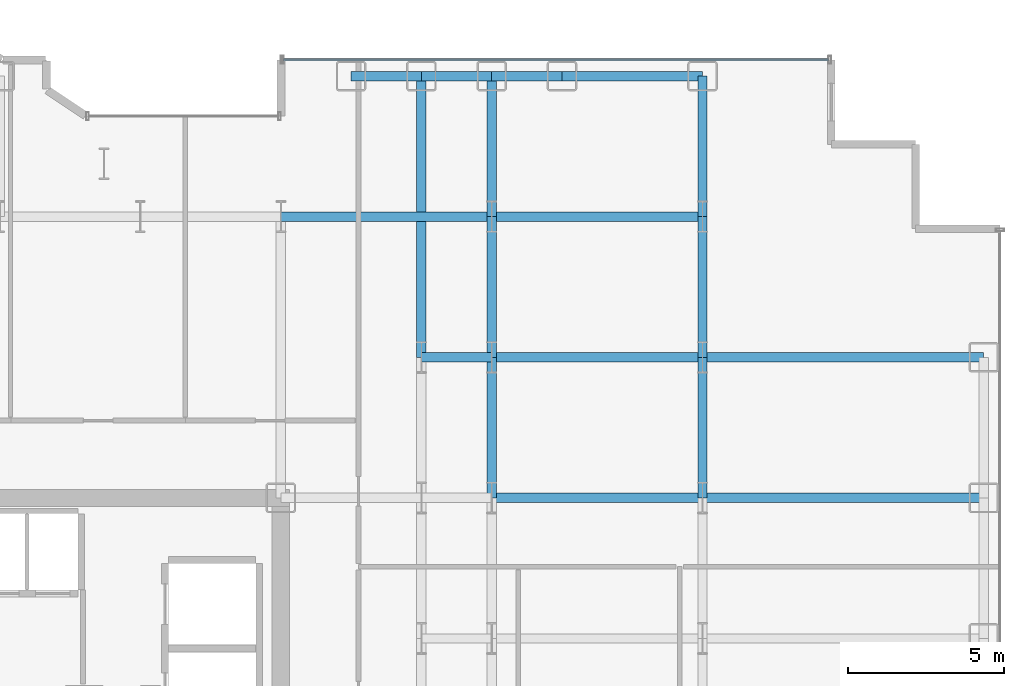
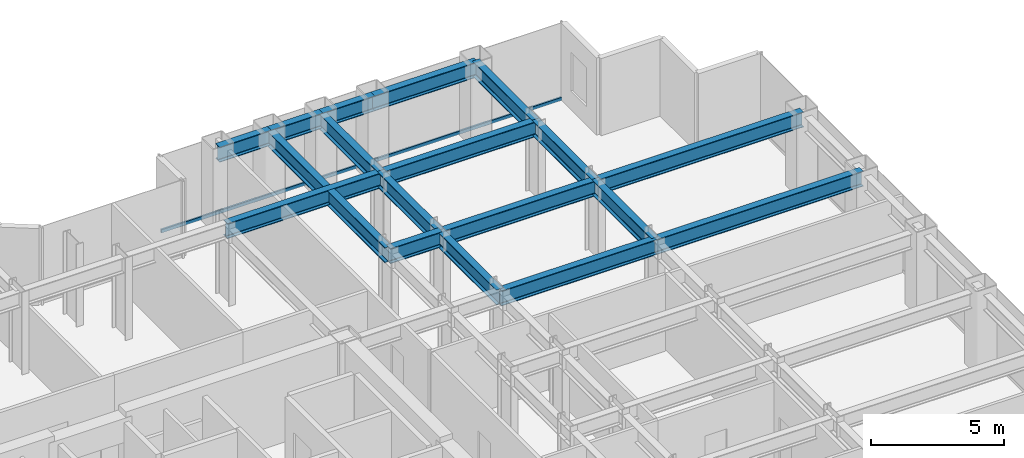
# One storey, part 13 of 26: 18 beams, 1 member, 1 element without a shape of its own.
"""IFC4 building model written with IfcOpenShell, lengths in metres."""

from ifc_helpers import new_model, si_unit, direction, frame, origin, origin_2d, place, context, subcontext, project, spatial, hollow_rectangle, i_section, extrude, source, transform, mapped, material, layer, layer_set, material_profile, profile_set, type_object, element, aggregate, save


model = new_model("IFC4")

# Units and contexts
model_context = context("Model", 3, precision=1e-05, world=origin(), true_north=direction((0.0, 1.0)))
body_context = subcontext(model_context, "Body", "Model", "MODEL_VIEW")
ifc_project = project(units=[si_unit("LENGTHUNIT", "METRE"), si_unit("AREAUNIT", "SQUARE_METRE"), si_unit("VOLUMEUNIT", "CUBIC_METRE"), si_unit("PLANEANGLEUNIT", "RADIAN"), si_unit("MASSUNIT", "GRAM", prefix="KILO")], contexts=[model_context])

# Site, building, storey
site_placement = place(None, origin())
site = spatial("IfcSite", under=ifc_project, at=site_placement, CompositionType="ELEMENT")
building_placement = place(site_placement, origin())
building = spatial("IfcBuilding", under=site, at=building_placement, Name="Nefas-Gora Pilgrimage Tower", CompositionType="ELEMENT")
storey_placement = place(building_placement, frame((0.0, 0.0, 94.60009765625)))
storey = spatial("IfcBuildingStorey", under=building, at=storey_placement, Name="L22", CompositionType="ELEMENT", Elevation=94.60009765625)

# Beams
ifc_material_1 = material(Name="Steel S355", Category="steel")
ifc_material_profile_1 = material_profile(ifc_material_1, i_section(OverallWidth=0.300048828125, OverallDepth=0.699951171875, WebThickness=0.01708984375, FlangeThickness=0.031982421875, FilletRadius=0.027099609375, at=origin_2d()), Name="HEB 700")
ifc_profile_set_1 = profile_set([ifc_material_profile_1], Name="Steel S355")
beam_type_1 = type_object("IfcBeamType", Name="BM-SPN-HEB600", PredefinedType="SPANDREL", material=ifc_profile_set_1)
shared_shape_1 = source(origin(), body_context, "Body", "SweptSolid", [
    extrude(i_section(OverallWidth=0.300048828125, OverallDepth=0.699951171875, WebThickness=0.01708984375, FlangeThickness=0.031982421875, FilletRadius=0.027099609375, at=origin_2d()), origin(), (0.0, 0.0, 1.0), 4.5),
])
beam_1_placement = place(storey_placement, frame((20.25, 22.5, 3.199951171875), z_axis=(1.0, 0.0, 0.0), x_axis=(0.0, 1.0, 0.0)))
element("IfcBeam", 1, at=beam_1_placement, inside=storey, type_object=beam_type_1, Name="L22 SP-01 beam", PredefinedType="SPANDREL", context=body_context, shape_type="MappedRepresentation", body=[
    mapped(shared_shape_1, transform((0.0, 0.0, 0.0), x_axis=(1.0, 0.0, 0.0), y_axis=(0.0, 1.0, 0.0), z_axis=(0.0, 0.0, 1.0), scale=1.0)),
])
ifc_material_profile_2 = material_profile(ifc_material_1, i_section(OverallWidth=0.300048828125, OverallDepth=0.699951171875, WebThickness=0.01708984375, FlangeThickness=0.031982421875, FilletRadius=0.027099609375, at=origin_2d()), Name="HEB 700")
ifc_profile_set_2 = profile_set([ifc_material_profile_2], Name="Steel S355")
beam_type_2 = type_object("IfcBeamType", Name="BM-GIR-HEB700", PredefinedType="BEAM", material=ifc_profile_set_2)
shared_shape_2 = source(origin(), body_context, "Body", "SweptSolid", [
    extrude(i_section(OverallWidth=0.300048828125, OverallDepth=0.699951171875, WebThickness=0.01708984375, FlangeThickness=0.031982421875, FilletRadius=0.027099609375, at=origin_2d()), origin(), (0.0, 0.0, 1.0), 9.0),
])
for number, where, z_axis, x_axis, name in (
    (2, (15.75, 13.5, 3.199951171875), (0.0, 1.0, 0.0), (-1.0, 0.0, 0.0), "L22 G-02 beam"),
    (3, (24.75, 9.0, 3.199951171875), (1.0, 0.0, 0.0), (0.0, 1.0, 0.0), "L22 G-02 beam"),
    (4, (24.75, 13.5, 3.199951171875), (1.0, 0.0, 0.0), (0.0, 1.0, 0.0), "L22 G-02 beam"),
):
    element("IfcBeam", number, at=place(storey_placement, frame(where, z_axis=z_axis, x_axis=x_axis)), inside=storey, type_object=beam_type_2, Name=name, PredefinedType="BEAM", context=body_context, shape_type="MappedRepresentation", body=[
        mapped(shared_shape_2, transform((0.0, 0.0, 0.0), x_axis=(1.0, 0.0, 0.0), y_axis=(0.0, 1.0, 0.0), z_axis=(0.0, 0.0, 1.0), scale=1.0)),
    ])
shared_shape_3 = source(origin(), body_context, "Body", "SweptSolid", [
    extrude(i_section(OverallWidth=0.300048828125, OverallDepth=0.699951171875, WebThickness=0.01708984375, FlangeThickness=0.031982421875, FilletRadius=0.027099609375, at=origin_2d()), origin(), (0.0, 0.0, 1.0), 4.5),
])
for number, where, z_axis, x_axis, name in (
    (5, (18.0, 9.0, 3.199951171875), (0.0, 1.0, 0.0), (-1.0, 0.0, 0.0), "L22 G-02 beam"),
    (6, (18.0, 13.5, 3.199951171875), (0.0, 1.0, 0.0), (-1.0, 0.0, 0.0), "L22 G-02 beam"),
    (7, (18.0, 18.0, 3.199951171875), (0.0, 1.0, 0.0), (-1.0, 0.0, 0.0), "L22 G-02 beam"),
    (8, (24.75, 9.0, 3.199951171875), (0.0, 1.0, 0.0), (-1.0, 0.0, 0.0), "L22 G-02 beam"),
    (9, (24.75, 13.5, 3.199951171875), (0.0, 1.0, 0.0), (-1.0, 0.0, 0.0), "L22 G-02 beam"),
    (10, (24.75, 18.0, 3.199951171875), (0.0, 1.0, 0.0), (-1.0, 0.0, 0.0), "L22 G-02 beam"),
):
    element("IfcBeam", number, at=place(storey_placement, frame(where, z_axis=z_axis, x_axis=x_axis)), inside=storey, type_object=beam_type_2, Name=name, PredefinedType="BEAM", context=body_context, shape_type="MappedRepresentation", body=[
        mapped(shared_shape_3, transform((0.0, 0.0, 0.0), x_axis=(1.0, 0.0, 0.0), y_axis=(0.0, 1.0, 0.0), z_axis=(0.0, 0.0, 1.0), scale=1.0)),
    ])
shared_shape_4 = source(origin(), body_context, "Body", "SweptSolid", [
    extrude(i_section(OverallWidth=0.300048828125, OverallDepth=0.699951171875, WebThickness=0.01708984375, FlangeThickness=0.031982421875, FilletRadius=0.027099609375, at=origin_2d()), origin(), (0.0, 0.0, 1.0), 6.75),
])
for number, where, z_axis, x_axis, name in (
    (11, (11.25, 18.0, 3.199951171875), (1.0, 0.0, 0.0), (0.0, 1.0, 0.0), "L22 G-02 beam"),
    (12, (18.0, 9.0, 3.199951171875), (1.0, 0.0, 0.0), (0.0, 1.0, 0.0), "L22 G-02 beam"),
    (13, (18.0, 13.5, 3.199951171875), (1.0, 0.0, 0.0), (0.0, 1.0, 0.0), "L22 G-02 beam"),
    (14, (18.0, 18.0, 3.199951171875), (1.0, 0.0, 0.0), (0.0, 1.0, 0.0), "L22 G-02 beam"),
):
    element("IfcBeam", number, at=place(storey_placement, frame(where, z_axis=z_axis, x_axis=x_axis)), inside=storey, type_object=beam_type_2, Name=name, PredefinedType="BEAM", context=body_context, shape_type="MappedRepresentation", body=[
        mapped(shared_shape_4, transform((0.0, 0.0, 0.0), x_axis=(1.0, 0.0, 0.0), y_axis=(0.0, 1.0, 0.0), z_axis=(0.0, 0.0, 1.0), scale=1.0)),
    ])
shared_shape_5 = source(origin(), body_context, "Body", "SweptSolid", [
    extrude(i_section(OverallWidth=0.300048828125, OverallDepth=0.699951171875, WebThickness=0.01708984375, FlangeThickness=0.031982421875, FilletRadius=0.027099609375, at=origin_2d()), origin(), (0.0, 0.0, 1.0), 2.25),
])
for number, where, z_axis, x_axis, name in (
    (15, (13.5, 22.5, 3.199951171875), (1.0, 0.0, 0.0), (0.0, 1.0, 0.0), "L22 SP-01 beam"),
    (16, (15.75, 22.5, 3.199951171875), (1.0, 0.0, 0.0), (0.0, 1.0, 0.0), "L22 SP-01 beam"),
    (17, (18.0, 22.5, 3.199951171875), (1.0, 0.0, 0.0), (0.0, 1.0, 0.0), "L22 SP-01 beam"),
):
    element("IfcBeam", number, at=place(storey_placement, frame(where, z_axis=z_axis, x_axis=x_axis)), inside=storey, type_object=beam_type_1, Name=name, PredefinedType="SPANDREL", context=body_context, shape_type="MappedRepresentation", body=[
        mapped(shared_shape_5, transform((0.0, 0.0, 0.0), x_axis=(1.0, 0.0, 0.0), y_axis=(0.0, 1.0, 0.0), z_axis=(0.0, 0.0, 1.0), scale=1.0)),
    ])
shared_shape_6 = source(origin(), body_context, "Body", "SweptSolid", [
    extrude(i_section(OverallWidth=0.300048828125, OverallDepth=0.699951171875, WebThickness=0.01708984375, FlangeThickness=0.031982421875, FilletRadius=0.027099609375, at=origin_2d()), origin(), (0.0, 0.0, 1.0), 2.25),
])
beam_2_placement = place(storey_placement, frame((15.75, 13.5, 3.199951171875), z_axis=(1.0, 0.0, 0.0), x_axis=(0.0, 1.0, 0.0)))
element("IfcBeam", 18, at=beam_2_placement, inside=storey, type_object=beam_type_2, Name="L22 G-02 beam", PredefinedType="BEAM", context=body_context, shape_type="MappedRepresentation", body=[
    mapped(shared_shape_6, transform((0.0, 0.0, 0.0), x_axis=(1.0, 0.0, 0.0), y_axis=(0.0, 1.0, 0.0), z_axis=(0.0, 0.0, 1.0), scale=1.0)),
])

# Curtain wall, member
ifc_material_2 = material(Name="Dark ceramic-fritted solar-control aluminium-glass curtain wall", Category="aluminium")
ifc_layer = layer(ifc_material_2, 0.219970703125)
ifc_layer_set = layer_set([ifc_layer], Name="Dark ceramic-fritted solar-control aluminium-glass curtain wall")
curtain_wall_type = type_object("IfcCurtainWallType", Name="CW-SYS-2", PredefinedType="NOTDEFINED", material=ifc_layer_set)
curtain_wall_placement = place(storey_placement, origin())
curtain_wall = element("IfcCurtainWall", 19, at=curtain_wall_placement, inside=storey, type_object=curtain_wall_type, Name="L22 Unitised Curtain Wall CW2", PredefinedType="NOTDEFINED")
ifc_material_3 = material(Name="Anodised architectural aluminium", Category="aluminium")
ifc_material_profile_3 = material_profile(ifc_material_3, hollow_rectangle(XDim=0.080078125, YDim=0.159912109375, WallThickness=0.00439453125, InnerFilletRadius=0.00439453125, OuterFilletRadius=0.009033203125, at=origin_2d()), Name="ALU TRANSOM 80x160")
ifc_profile_set_3 = profile_set([ifc_material_profile_3], Name="Anodised architectural aluminium")
member_type = type_object("IfcMemberType", Name="CWM-TRN-2", PredefinedType="USERDEFINED", material=ifc_profile_set_3)
shared_shape_7 = source(origin(), body_context, "Body", "SweptSolid", [
    extrude(hollow_rectangle(XDim=0.080078125, YDim=0.159912109375, WallThickness=0.00439453125, InnerFilletRadius=0.00439453125, OuterFilletRadius=0.009033203125, at=origin_2d()), origin(), (0.0, 0.0, 1.0), 17.43994140625),
])
member_placement = place(storey_placement, frame((28.780029296875, 23.02001953125, 0.0498046875), z_axis=(-1.0, 0.0, 0.0), x_axis=(0.0, -1.0, 0.0)))
member = element("IfcMember", 20, at=member_placement, type_object=member_type, Name="CW2 Spandrel Transom", ObjectType="TRANSOM", PredefinedType="USERDEFINED", context=body_context, shape_type="MappedRepresentation", body=[
    mapped(shared_shape_7, transform((0.0, 0.0, 0.0), x_axis=(1.0, 0.0, 0.0), y_axis=(0.0, 1.0, 0.0), z_axis=(0.0, 0.0, 1.0), scale=1.0)),
])
aggregate(curtain_wall, [member])

save(model, "model.ifc")
